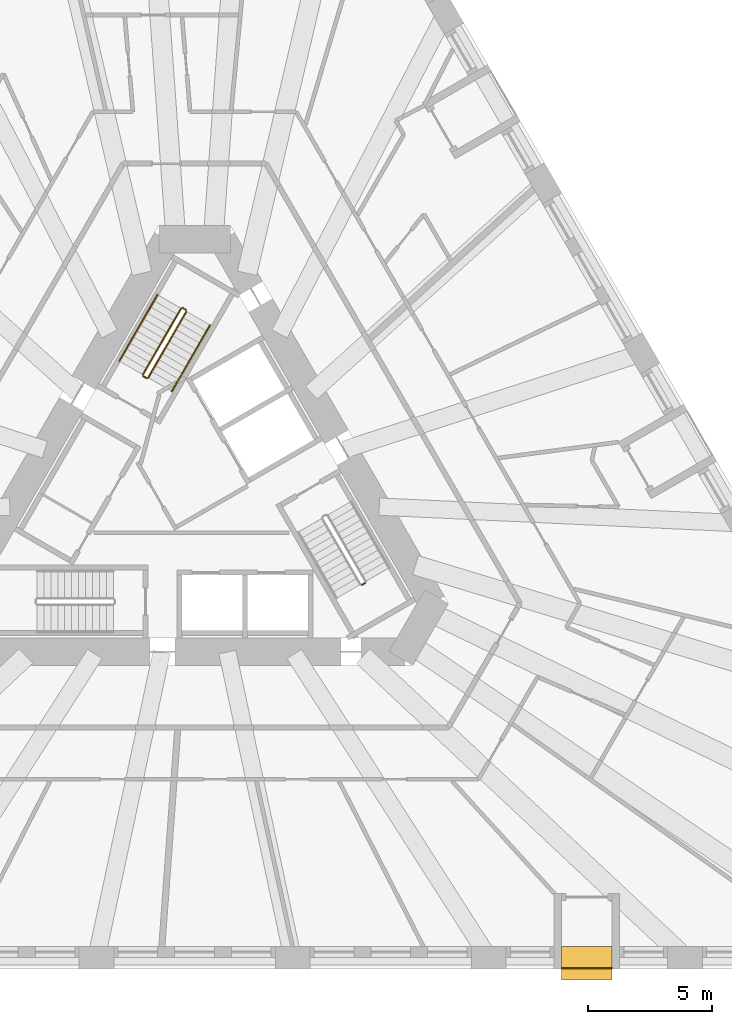
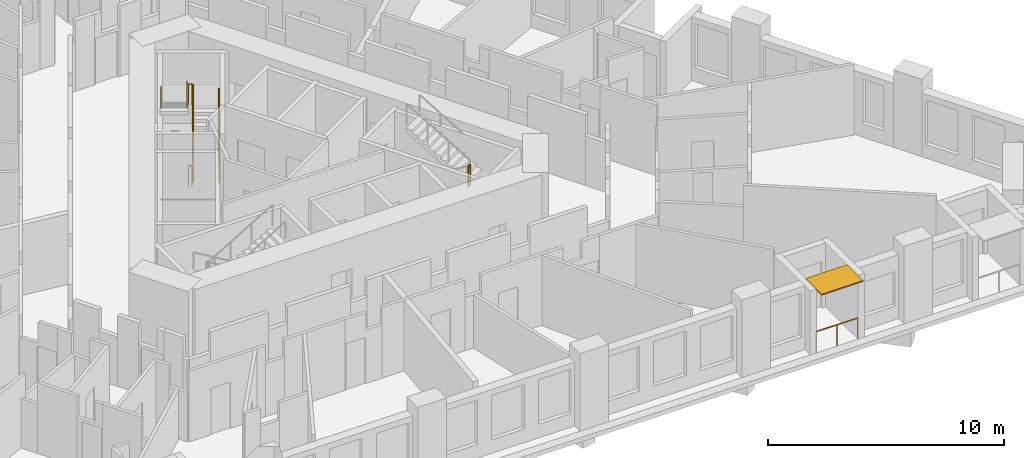
# One storey, part 12 of 14: 8 railings, 1 shading device.
"""IFC4 building model written with IfcOpenShell, lengths in metres."""

from ifc_helpers import new_model, si_unit, direction, frame, origin, origin_2d, place, context, subcontext, project, spatial, rectangle, circle, extrude, material, layer, layer_set, type_object, element, save


model = new_model("IFC4")

# Units and contexts
model_context = context("Model", 3, precision=1e-05, world=origin(), true_north=direction((0.0, 1.0)))
body_context = subcontext(model_context, "Body", "Model", "MODEL_VIEW")
ifc_project = project(units=[si_unit("LENGTHUNIT", "METRE"), si_unit("AREAUNIT", "SQUARE_METRE"), si_unit("VOLUMEUNIT", "CUBIC_METRE"), si_unit("PLANEANGLEUNIT", "RADIAN"), si_unit("MASSUNIT", "GRAM", prefix="KILO")], contexts=[model_context])

# Site, building, storey
site_placement = place(None, origin())
site = spatial("IfcSite", under=ifc_project, at=site_placement, CompositionType="ELEMENT")
building_placement = place(site_placement, origin())
building = spatial("IfcBuilding", under=site, at=building_placement, Name="Tramontana Tower", CompositionType="ELEMENT")
storey_placement = place(building_placement, frame((0.0, 0.0, 34.0)))
storey = spatial("IfcBuildingStorey", under=building, at=storey_placement, Name="L06", CompositionType="ELEMENT", Elevation=34.0)

# Railing
ifc_material_1 = material(Name="Laminated glass balustrade", Category="glass")
railing_type_1 = type_object("IfcRailingType", Name="GD1 Loggia glass balustrade 1100", PredefinedType="BALUSTRADE", material=ifc_material_1)
railing_1_placement = place(storey_placement, frame((14.816162109375, -18.969970703125, 0.0)))
element("IfcRailing", 1, at=railing_1_placement, inside=storey, type_object=railing_type_1, Name="Loggia balustrade L06 G0S1.16", PredefinedType="BALUSTRADE", context=body_context, shape_type="SweptSolid", body=[
    extrude(circle(Radius=0.02392578125, at=origin_2d()), frame((0.0, 0.0, 1.076171875), z_axis=(1.0, 0.0, 0.0), x_axis=(0.0, 1.0, 0.0)), (0.0, 0.0, 1.0), 2.039306640625),
    extrude(circle(Radius=0.02099609375, at=origin_2d()), origin(), (0.0, 0.0, 1.0), 1.052001953125),
    extrude(circle(Radius=0.02099609375, at=origin_2d()), frame((1.01953125, 0.0, 0.0)), (0.0, 0.0, 1.0), 1.052001953125),
    extrude(circle(Radius=0.02099609375, at=origin_2d()), frame((2.039306640625, 0.0, 0.0)), (0.0, 0.0, 1.0), 1.052001953125),
])

# Shading device
ifc_material_2 = material(Name="Precast concrete 60 MPa", Category="concrete")
ifc_layer = layer(ifc_material_2, 0.06005859375)
ifc_layer_set = layer_set([ifc_layer], Name="SS1 Stone sunshade blade 60")
shading_device_type = type_object("IfcShadingDeviceType", Name="SS1 Stone sunshade blade 60", PredefinedType="USERDEFINED", material=ifc_layer_set)
shading_device_placement = place(storey_placement, frame((15.8359375, -18.77490234375, 3.239990234375), z_axis=(0.0, 0.0, 1.0), x_axis=(1.0, 0.0, 0.0)))
element("IfcShadingDevice", 2, at=shading_device_placement, inside=storey, type_object=shading_device_type, Name="Sunshade L06 G0S1.16", ObjectType="SUNSHADE", PredefinedType="USERDEFINED", context=body_context, shape_type="SweptSolid", body=[
    extrude(rectangle(XDim=2.039306640625, YDim=1.35009765625, at=origin_2d()), origin(), (0.0, 0.0, 1.0), 0.06005859375),
])

# Railings
ifc_material_3 = material(Name="Painted steel", Category="steel")
railing_type_2 = type_object("IfcRailingType", Name="STAIR GUARD 1100", PredefinedType="GUARDRAIL", material=ifc_material_3)
railing_2_placement = place(storey_placement, frame((-1.867431640625, 4.865478515625, 0.166748046875)))
element("IfcRailing", 3, at=railing_2_placement, inside=storey, type_object=railing_type_2, Name="L06 ST1 stair guard 1", PredefinedType="GUARDRAIL", context=body_context, shape_type="SweptSolid", body=[
    extrude(circle(Radius=0.02392578125, at=origin_2d()), frame((0.0, 0.0, 1.076171875), z_axis=(0.429649414936, 0.744189839504, 0.511451721109), x_axis=(-0.866029832698, 0.499992328818, 0.0)), (0.0, 0.0, 1.0), 3.58447265625),
    extrude(circle(Radius=0.02099609375, at=origin_2d()), origin(), (0.0, 0.0, 1.0), 1.052001953125),
    extrude(circle(Radius=0.02099609375, at=origin_2d()), frame((0.513427734375, 0.88916015625, 0.611083984375)), (0.0, 0.0, 1.0), 1.052001953125),
    extrude(circle(Radius=0.02099609375, at=origin_2d()), frame((1.026611328125, 1.7783203125, 1.22216796875)), (0.0, 0.0, 1.0), 1.052001953125),
    extrude(circle(Radius=0.02099609375, at=origin_2d()), frame((1.5400390625, 2.66748046875, 1.833251953125)), (0.0, 0.0, 1.0), 1.052001953125),
])
railing_3_placement = place(storey_placement, frame((-0.5439453125, 7.657958984375, 2.166748046875)))
element("IfcRailing", 4, at=railing_3_placement, inside=storey, type_object=railing_type_2, Name="L06 ST1 stair guard 2", PredefinedType="GUARDRAIL", context=body_context, shape_type="SweptSolid", body=[
    extrude(circle(Radius=0.02392578125, at=origin_2d()), frame((0.0, 0.0, 1.076171875), z_axis=(-0.429649414936, -0.744189839504, 0.511451721109), x_axis=(0.866029832698, -0.499992328818, 0.0)), (0.0, 0.0, 1.0), 3.58447265625),
    extrude(circle(Radius=0.02099609375, at=origin_2d()), origin(), (0.0, 0.0, 1.0), 1.052001953125),
    extrude(circle(Radius=0.02099609375, at=origin_2d()), frame((-0.513427734375, -0.88916015625, 0.611083984375)), (0.0, 0.0, 1.0), 1.052001953125),
    extrude(circle(Radius=0.02099609375, at=origin_2d()), frame((-1.026611328125, -1.7783203125, 1.22216796875)), (0.0, 0.0, 1.0), 1.052001953125),
    extrude(circle(Radius=0.02099609375, at=origin_2d()), frame((-1.5400390625, -2.66748046875, 1.833251953125)), (0.0, 0.0, 1.0), 1.052001953125),
])
railing_4_placement = place(storey_placement, frame((-0.345703125, 7.601318359375, 2.0)))
element("IfcRailing", 5, at=railing_4_placement, inside=storey, type_object=railing_type_2, Name="L06 ST1 stair guard 3", PredefinedType="GUARDRAIL", context=body_context, shape_type="SweptSolid", body=[
    extrude(circle(Radius=0.02392578125, at=origin_2d()), frame((0.0, 0.0, 1.076171875), z_axis=(-0.866131372301, 0.499816412211, 0.0), x_axis=(-0.499816412211, -0.866131372301, 0.0)), (0.0, 0.0, 1.0), 0.14990234375),
    extrude(circle(Radius=0.02099609375, at=origin_2d()), origin(), (0.0, 0.0, 1.0), 1.052001953125),
    extrude(circle(Radius=0.02099609375, at=origin_2d()), frame((-0.1298828125, 0.074951171875, 0.0)), (0.0, 0.0, 1.0), 1.052001953125),
])
railing_5_placement = place(storey_placement, frame((-1.935791015625, 4.84716796875, 0.0)))
element("IfcRailing", 6, at=railing_5_placement, inside=storey, type_object=railing_type_2, Name="L06 ST1 stair guard 4", PredefinedType="GUARDRAIL", context=body_context, shape_type="SweptSolid", body=[
    extrude(circle(Radius=0.02392578125, at=origin_2d()), frame((0.0, 0.0, 1.076171875), z_axis=(-0.865426285481, 0.501036270542, 0.0), x_axis=(-0.501036270542, -0.865426285481, 0.0)), (0.0, 0.0, 1.0), 0.150146484375),
    extrude(circle(Radius=0.02099609375, at=origin_2d()), origin(), (0.0, 0.0, 1.0), 1.052001953125),
    extrude(circle(Radius=0.02099609375, at=origin_2d()), frame((-0.1298828125, 0.0751953125, 0.0)), (0.0, 0.0, 1.0), 1.052001953125),
])
railing_6_placement = place(storey_placement, frame((6.755615234375, -3.501220703125, 2.0)))
element("IfcRailing", 7, at=railing_6_placement, inside=storey, type_object=railing_type_2, Name="L06 ST3 stair guard 3", PredefinedType="GUARDRAIL", context=body_context, shape_type="SweptSolid", body=[
    extrude(circle(Radius=0.02392578125, at=origin_2d()), frame((0.0, 0.0, 1.076171875), z_axis=(0.866131372301, 0.499816412211, 0.0), x_axis=(-0.499816412211, 0.866131372301, 0.0)), (0.0, 0.0, 1.0), 0.14990234375),
    extrude(circle(Radius=0.02099609375, at=origin_2d()), origin(), (0.0, 0.0, 1.0), 1.052001953125),
    extrude(circle(Radius=0.02099609375, at=origin_2d()), frame((0.1298828125, 0.074951171875, 0.0)), (0.0, 0.0, 1.0), 1.052001953125),
])
ifc_material_4 = material(Name="Painted steel", Category="steel")
railing_type_3 = type_object("IfcRailingType", Name="STAIR HANDRAIL 900", PredefinedType="HANDRAIL", material=ifc_material_4)
railing_7_placement = place(storey_placement, frame((-0.914794921875, 4.315673828125, 0.166748046875)))
element("IfcRailing", 8, at=railing_7_placement, inside=storey, type_object=railing_type_3, Name="L06 ST1 stair handrail 1", PredefinedType="HANDRAIL", context=body_context, shape_type="SweptSolid", body=[
    extrude(circle(Radius=0.02392578125, at=origin_2d()), frame((0.0, 0.0, 0.8759765625), z_axis=(0.429671193721, 0.744159446956, 0.511477646425), x_axis=(-0.866010015463, 0.500026652407, 0.0)), (0.0, 0.0, 1.0), 3.584228515625),
    extrude(circle(Radius=0.02099609375, at=origin_2d()), origin(), (0.0, 0.0, 1.0), 0.851806640625),
    extrude(circle(Radius=0.02099609375, at=origin_2d()), frame((0.513427734375, 0.88916015625, 0.611083984375)), (0.0, 0.0, 1.0), 0.851806640625),
    extrude(circle(Radius=0.02099609375, at=origin_2d()), frame((1.026611328125, 1.778076171875, 1.22216796875)), (0.0, 0.0, 1.0), 0.851806640625),
    extrude(circle(Radius=0.02099609375, at=origin_2d()), frame((1.5400390625, 2.667236328125, 1.833251953125)), (0.0, 0.0, 1.0), 0.851806640625),
])
railing_8_placement = place(storey_placement, frame((-1.49658203125, 8.2080078125, 2.166748046875)))
element("IfcRailing", 9, at=railing_8_placement, inside=storey, type_object=railing_type_3, Name="L06 ST1 stair handrail 2", PredefinedType="HANDRAIL", context=body_context, shape_type="SweptSolid", body=[
    extrude(circle(Radius=0.02392578125, at=origin_2d()), frame((0.0, 0.0, 0.8759765625), z_axis=(-0.429649414936, -0.744189839504, 0.511451721109), x_axis=(0.866029832698, -0.499992328818, 0.0)), (0.0, 0.0, 1.0), 3.58447265625),
    extrude(circle(Radius=0.02099609375, at=origin_2d()), origin(), (0.0, 0.0, 1.0), 0.851806640625),
    extrude(circle(Radius=0.02099609375, at=origin_2d()), frame((-0.513427734375, -0.88916015625, 0.611083984375)), (0.0, 0.0, 1.0), 0.851806640625),
    extrude(circle(Radius=0.02099609375, at=origin_2d()), frame((-1.026611328125, -1.7783203125, 1.22216796875)), (0.0, 0.0, 1.0), 0.851806640625),
    extrude(circle(Radius=0.02099609375, at=origin_2d()), frame((-1.5400390625, -2.66748046875, 1.833251953125)), (0.0, 0.0, 1.0), 0.851806640625),
])

save(model, "model.ifc")
